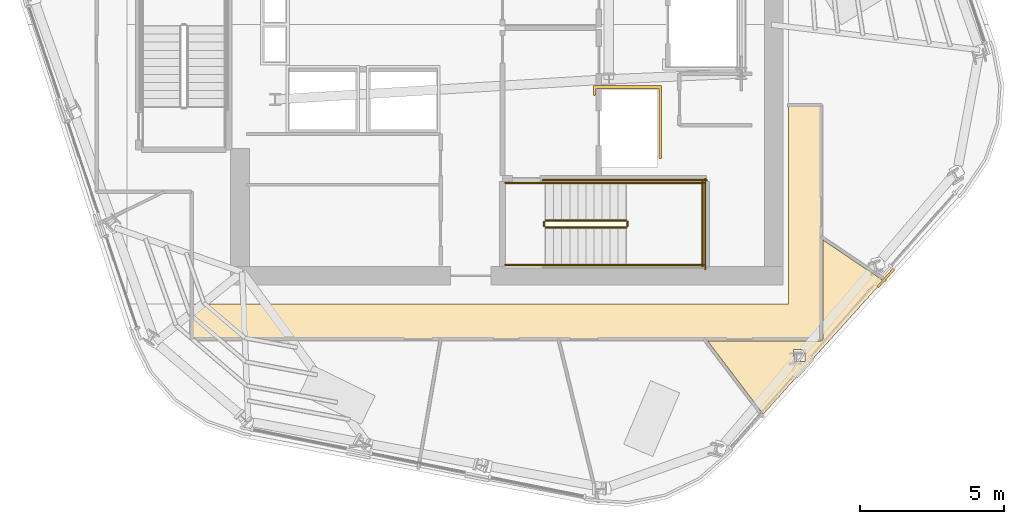
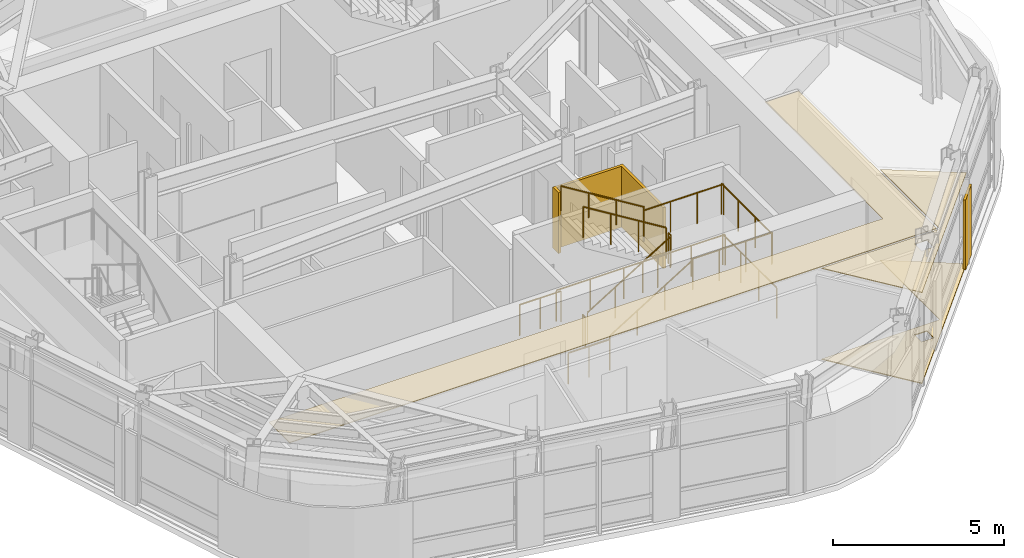
# One storey, part 9 of 12: 13 railings, 5 coverings.
"""IFC4 building model written with IfcOpenShell, lengths in metres."""

from ifc_helpers import new_model, si_unit, direction, frame, origin, origin_2d, place, context, subcontext, project, spatial, polyline, circle, outline, extrude, material, layer, layer_set, type_object, element, save


model = new_model("IFC4")

# Units and contexts
model_context = context("Model", 3, precision=1e-05, world=origin(), true_north=direction((0.0, 1.0)))
body_context = subcontext(model_context, "Body", "Model", "MODEL_VIEW")
ifc_project = project(units=[si_unit("LENGTHUNIT", "METRE"), si_unit("AREAUNIT", "SQUARE_METRE"), si_unit("VOLUMEUNIT", "CUBIC_METRE"), si_unit("PLANEANGLEUNIT", "RADIAN"), si_unit("MASSUNIT", "GRAM", prefix="KILO")], contexts=[model_context])

# Site, building, storey
site_placement = place(None, origin())
site = spatial("IfcSite", under=ifc_project, at=site_placement, CompositionType="ELEMENT")
building_placement = place(site_placement, origin())
building = spatial("IfcBuilding", under=site, at=building_placement, Name="Valkerne Bourse Tower", CompositionType="ELEMENT")
storey_placement = place(building_placement, frame((0.0, 0.0, 232.199951171875)))
storey = spatial("IfcBuildingStorey", under=building, at=storey_placement, Name="L59", CompositionType="ELEMENT", Elevation=232.199951171875)

# Coverings
ifc_material_1 = material(Name="Mineral Fiber Acoustic Ceiling Tile", Category="acoustic")
ifc_layer_1 = layer(ifc_material_1, 0.02490234375)
ifc_layer_set_1 = layer_set([ifc_layer_1], Name="Mineral Fiber Acoustic Ceiling Tile")
covering_type_1 = type_object("IfcCoveringType", Name="COV-CEIL-ACT", PredefinedType="CEILING", material=ifc_layer_set_1)
covering_1_placement = place(storey_placement, frame((0.0, 0.0, 3.25)))
element("IfcCovering", 1, at=covering_1_placement, inside=storey, type_object=covering_type_1, Name="L59 Suspended Ceiling 04", PredefinedType="CEILING", context=body_context, shape_type="SweptSolid", body=[
    extrude(outline(polyline([(57.720703125, 16.010986328125), (57.765869140625, 16.0283203125), (57.78271484375, 16.051025390625), (57.7890625, 16.07958984375), (57.7890625, 19.5166015625), (59.8837890625, 18.103759765625), (55.71240234375, 13.46533203125), (53.7802734375, 16.010986328125), (57.720703125, 16.010986328125)]), holes=[polyline([(57.17138671875, 15.71240234375), (56.760009765625, 15.714599609375), (56.75830078125, 15.712890625), (56.7568359375, 15.299072265625), (57.168212890625, 15.296875), (57.169921875, 15.298095703125), (57.17138671875, 15.71240234375)])]), origin(), (0.0, 0.0, 1.0), 0.025146484375),
])
ifc_material_2 = material(Name="Bronze Anodised Aluminium AA 6063-T6", Category="aluminium")
ifc_layer_2 = layer(ifc_material_2, 0.030029296875)
ifc_layer_set_2 = layer_set([ifc_layer_2], Name="Bronze Anodised Aluminium AA 6063-T6")
covering_type_2 = type_object("IfcCoveringType", Name="COV-CEIL-METAL", PredefinedType="CEILING", material=ifc_layer_set_2)
covering_2_placement = place(storey_placement, frame((0.0, 0.0, 3.25)))
element("IfcCovering", 2, at=covering_2_placement, inside=storey, type_object=covering_type_2, Name="L59 Suspended Ceiling 01", PredefinedType="CEILING", context=body_context, shape_type="SweptSolid", body=[
    extrude(outline(polyline([(35.85400390625, 17.300048828125), (56.60009765625, 17.300048828125), (56.60009765625, 24.196044921875), (57.716064453125, 24.196044921875), (57.716064453125, 16.083984375), (35.85400390625, 16.083984375), (35.85400390625, 17.300048828125)])), origin(), (0.0, 0.0, 1.0), 0.025146484375),
])
ifc_layer_3 = layer(ifc_material_2, 0.06005859375)
ifc_layer_set_3 = layer_set([ifc_layer_3], Name="Bronze Anodised Aluminium AA 6063-T6")
covering_type_3 = type_object("IfcCoveringType", Name="COV-CRN-ALUM", PredefinedType="CLADDING", material=ifc_layer_set_3)
covering_3_placement = place(storey_placement, origin())
element("IfcCovering", 3, at=covering_3_placement, inside=storey, type_object=covering_type_3, Name="L59 Wind-Shaped Corner Aluminium Cladding 02", PredefinedType="CLADDING", context=body_context, shape_type="SweptSolid", body=[
    extrude(outline(polyline([(59.720703125, 17.856689453125), (59.66064453125, 17.909423828125), (60.222412109375, 18.5341796875), (60.282470703125, 18.481201171875), (59.720703125, 17.856689453125)])), origin(), (0.0, 0.0, 1.0), 2.5),
])
ifc_material_3 = material(Name="Polished Granite Stone", Category="masonry")
ifc_layer_4 = layer(ifc_material_3, 0.030029296875)
ifc_layer_set_4 = layer_set([ifc_layer_4], Name="Polished Granite Stone")
covering_type_4 = type_object("IfcCoveringType", Name="COV-FLR-TERRAZZO", PredefinedType="FLOORING", material=ifc_layer_set_4)
covering_4_placement = place(storey_placement, origin())
element("IfcCovering", 4, at=covering_4_placement, inside=storey, type_object=covering_type_4, Name="L59 Floor Finish 04", PredefinedType="FLOORING", context=body_context, shape_type="SweptSolid", body=[
    extrude(outline(polyline([(57.720703125, 16.010986328125), (57.765869140625, 16.0283203125), (57.78271484375, 16.051025390625), (57.7890625, 16.07958984375), (57.7890625, 19.5166015625), (59.8837890625, 18.103759765625), (55.71240234375, 13.46533203125), (53.7802734375, 16.010986328125), (57.720703125, 16.010986328125)]), holes=[polyline([(57.17138671875, 15.71240234375), (56.760009765625, 15.714599609375), (56.75830078125, 15.712890625), (56.7568359375, 15.299072265625), (57.168212890625, 15.296875), (57.169921875, 15.298095703125), (57.17138671875, 15.71240234375)])]), origin(), (0.0, 0.0, 1.0), 0.030029296875),
])
ifc_material_4 = material(Name="Gypsum Shaftwall Liner Board", Category="gypsum")
ifc_layer_5 = layer(ifc_material_4, 0.080078125)
ifc_layer_set_5 = layer_set([ifc_layer_5], Name="Gypsum Shaftwall Liner Board")
covering_type_5 = type_object("IfcCoveringType", Name="COV-SHF-CLAD", PredefinedType="CLADDING", material=ifc_layer_set_5)
covering_5_placement = place(storey_placement, origin())
element("IfcCovering", 5, at=covering_5_placement, inside=storey, type_object=covering_type_5, Name="L59 Hoistway & Riser Shaftwall Liner 05", PredefinedType="CLADDING", context=body_context, shape_type="SweptSolid", body=[
    extrude(outline(polyline([(52.179931640625, 22.35009765625), (52.090087890625, 22.35009765625), (52.090087890625, 24.7900390625), (49.909912109375, 24.7900390625), (49.909912109375, 24.560791015625), (49.869384765625, 24.550537109375), (49.827880859375, 24.53564453125), (49.820068359375, 24.531982421875), (49.820068359375, 24.8798828125), (52.179931640625, 24.8798828125), (52.179931640625, 22.35009765625)])), origin(), (0.0, 0.0, 1.0), 2.179931640625),
])

# Railings
ifc_material_5 = material(Name="Galvanised Painted Steel", Category="steel")
railing_type_1 = type_object("IfcRailingType", Name="RLG-ST-GUARD-1120", PredefinedType="GUARDRAIL", material=ifc_material_5)
railing_1_placement = place(storey_placement, frame((48.14990234375, 19.949951171875, 0.1728515625)))
element("IfcRailing", 6, at=railing_1_placement, inside=storey, type_object=railing_type_1, Name="L59 ST-1 stair guard 1", PredefinedType="GUARDRAIL", context=body_context, shape_type="SweptSolid", body=[
    extrude(circle(Radius=0.02392578125, at=origin_2d()), frame((0.0, 0.0, 1.09619140625), z_axis=(0.851089632645, 0.0, 0.525020415988), x_axis=(0.0, 1.0, 0.0)), (0.0, 0.0, 1.0), 3.2900390625),
    extrude(circle(Radius=0.02099609375, at=origin_2d()), origin(), (0.0, 0.0, 1.0), 1.072021484375),
    extrude(circle(Radius=0.02099609375, at=origin_2d()), frame((0.933349609375, 0.0, 0.57568359375)), (0.0, 0.0, 1.0), 1.072021484375),
    extrude(circle(Radius=0.02099609375, at=origin_2d()), frame((1.86669921875, 0.0, 1.151611328125)), (0.0, 0.0, 1.0), 1.072021484375),
    extrude(circle(Radius=0.02099609375, at=origin_2d()), frame((2.800048828125, 0.0, 1.727294921875)), (0.0, 0.0, 1.0), 1.072021484375),
])
railing_2_placement = place(storey_placement, frame((51.0, 20.0, 1.900146484375)))
element("IfcRailing", 7, at=railing_2_placement, inside=storey, type_object=railing_type_1, Name="L59 ST-1 stair guard 2", PredefinedType="GUARDRAIL", context=body_context, shape_type="SweptSolid", body=[
    extrude(circle(Radius=0.02392578125, at=origin_2d()), frame((0.0, 0.0, 1.09619140625), z_axis=(0.0, 1.0, 0.0), x_axis=(-1.0, 0.0, 0.0)), (0.0, 0.0, 1.0), 0.14990234375),
    extrude(circle(Radius=0.02099609375, at=origin_2d()), origin(), (0.0, 0.0, 1.0), 1.072021484375),
    extrude(circle(Radius=0.02099609375, at=origin_2d()), frame((0.0, 0.14990234375, 0.0)), (0.0, 0.0, 1.0), 1.072021484375),
])
for number, where, name in (
    (8, (50.949951171875, 18.64990234375, 1.900146484375), "L59 ST-1 stair guard 3"),
    (9, (50.949951171875, 21.5, 1.900146484375), "L59 ST-1 stair guard 4"),
):
    element("IfcRailing", number, at=place(storey_placement, frame(where)), inside=storey, type_object=railing_type_1, Name=name, PredefinedType="GUARDRAIL", context=body_context, shape_type="SweptSolid", body=[
        extrude(circle(Radius=0.02392578125, at=origin_2d()), frame((0.0, 0.0, 1.09619140625), z_axis=(1.0, 0.0, 0.0), x_axis=(0.0, 1.0, 0.0)), (0.0, 0.0, 1.0), 2.699951171875),
        extrude(circle(Radius=0.02099609375, at=origin_2d()), origin(), (0.0, 0.0, 1.0), 1.072021484375),
        extrude(circle(Radius=0.02099609375, at=origin_2d()), frame((0.89990234375, 0.0, 0.0)), (0.0, 0.0, 1.0), 1.072021484375),
        extrude(circle(Radius=0.02099609375, at=origin_2d()), frame((1.800048828125, 0.0, 0.0)), (0.0, 0.0, 1.0), 1.072021484375),
        extrude(circle(Radius=0.02099609375, at=origin_2d()), frame((2.699951171875, 0.0, 0.0)), (0.0, 0.0, 1.0), 1.072021484375),
    ])
railing_3_placement = place(storey_placement, frame((53.60009765625, 18.60009765625, 1.900146484375)))
element("IfcRailing", 10, at=railing_3_placement, inside=storey, type_object=railing_type_1, Name="L59 ST-1 stair guard 5", PredefinedType="GUARDRAIL", context=body_context, shape_type="SweptSolid", body=[
    extrude(circle(Radius=0.02392578125, at=origin_2d()), frame((0.0, 0.0, 1.09619140625), z_axis=(0.0, 1.0, 0.0), x_axis=(-1.0, 0.0, 0.0)), (0.0, 0.0, 1.0), 2.949951171875),
    extrude(circle(Radius=0.02099609375, at=origin_2d()), origin(), (0.0, 0.0, 1.0), 1.072021484375),
    extrude(circle(Radius=0.02099609375, at=origin_2d()), frame((0.0, 0.9833984375, 0.0)), (0.0, 0.0, 1.0), 1.072021484375),
    extrude(circle(Radius=0.02099609375, at=origin_2d()), frame((0.0, 1.966552734375, 0.0)), (0.0, 0.0, 1.0), 1.072021484375),
    extrude(circle(Radius=0.02099609375, at=origin_2d()), frame((0.0, 2.949951171875, 0.0)), (0.0, 0.0, 1.0), 1.072021484375),
])
railing_4_placement = place(storey_placement, frame((50.949951171875, 20.199951171875, 2.07275390625)))
element("IfcRailing", 11, at=railing_4_placement, inside=storey, type_object=railing_type_1, Name="L59 ST-1 stair guard 6", PredefinedType="GUARDRAIL", context=body_context, shape_type="SweptSolid", body=[
    extrude(circle(Radius=0.02392578125, at=origin_2d()), frame((0.0, 0.0, 1.09619140625), z_axis=(-0.851089632645, 0.0, 0.525020415988), x_axis=(0.0, -1.0, 0.0)), (0.0, 0.0, 1.0), 3.2900390625),
    extrude(circle(Radius=0.02099609375, at=origin_2d()), origin(), (0.0, 0.0, 1.0), 1.072021484375),
    extrude(circle(Radius=0.02099609375, at=origin_2d()), frame((-0.933349609375, 0.0, 0.57568359375)), (0.0, 0.0, 1.0), 1.072021484375),
    extrude(circle(Radius=0.02099609375, at=origin_2d()), frame((-1.86669921875, 0.0, 1.151611328125)), (0.0, 0.0, 1.0), 1.072021484375),
    extrude(circle(Radius=0.02099609375, at=origin_2d()), frame((-2.800048828125, 0.0, 1.727294921875)), (0.0, 0.0, 1.0), 1.072021484375),
])
railing_5_placement = place(storey_placement, frame((48.10009765625, 20.0, 0.0)))
element("IfcRailing", 12, at=railing_5_placement, inside=storey, type_object=railing_type_1, Name="L59 ST-1 stair guard 7", PredefinedType="GUARDRAIL", context=body_context, shape_type="SweptSolid", body=[
    extrude(circle(Radius=0.02392578125, at=origin_2d()), frame((0.0, 0.0, 1.09619140625), z_axis=(0.0, 1.0, 0.0), x_axis=(-1.0, 0.0, 0.0)), (0.0, 0.0, 1.0), 0.14990234375),
    extrude(circle(Radius=0.02099609375, at=origin_2d()), origin(), (0.0, 0.0, 1.0), 1.072021484375),
    extrude(circle(Radius=0.02099609375, at=origin_2d()), frame((0.0, 0.14990234375, 0.0)), (0.0, 0.0, 1.0), 1.072021484375),
])
for number, where, name in (
    (13, (46.75, 18.64990234375, 0.0), "L59 ST-1 stair guard 8"),
    (14, (46.75, 21.5, 0.0), "L59 ST-1 stair guard 9"),
):
    element("IfcRailing", number, at=place(storey_placement, frame(where)), inside=storey, type_object=railing_type_1, Name=name, PredefinedType="GUARDRAIL", context=body_context, shape_type="SweptSolid", body=[
        extrude(circle(Radius=0.02392578125, at=origin_2d()), frame((0.0, 0.0, 1.09619140625), z_axis=(1.0, 0.0, 0.0), x_axis=(0.0, 1.0, 0.0)), (0.0, 0.0, 1.0), 1.39990234375),
        extrude(circle(Radius=0.02099609375, at=origin_2d()), origin(), (0.0, 0.0, 1.0), 1.072021484375),
        extrude(circle(Radius=0.02099609375, at=origin_2d()), frame((0.699951171875, 0.0, 0.0)), (0.0, 0.0, 1.0), 1.072021484375),
        extrude(circle(Radius=0.02099609375, at=origin_2d()), frame((1.39990234375, 0.0, 0.0)), (0.0, 0.0, 1.0), 1.072021484375),
    ])
railing_6_placement = place(storey_placement, frame((48.050048828125, 21.60009765625, 0.0)))
element("IfcRailing", 15, at=railing_6_placement, inside=storey, type_object=railing_type_1, Name="L59 ST-1 stair guard 11", PredefinedType="GUARDRAIL", context=body_context, shape_type="SweptSolid", body=[
    extrude(circle(Radius=0.02392578125, at=origin_2d()), frame((0.0, 0.0, 1.09619140625), z_axis=(1.0, 0.0, 0.0), x_axis=(0.0, 1.0, 0.0)), (0.0, 0.0, 1.0), 5.699951171875),
    extrude(circle(Radius=0.02099609375, at=origin_2d()), origin(), (0.0, 0.0, 1.0), 1.072021484375),
    extrude(circle(Radius=0.02099609375, at=origin_2d()), frame((1.139892578125, 0.0, 0.0)), (0.0, 0.0, 1.0), 1.072021484375),
    extrude(circle(Radius=0.02099609375, at=origin_2d()), frame((2.280029296875, 0.0, 0.0)), (0.0, 0.0, 1.0), 1.072021484375),
    extrude(circle(Radius=0.02099609375, at=origin_2d()), frame((3.419921875, 0.0, 0.0)), (0.0, 0.0, 1.0), 1.072021484375),
    extrude(circle(Radius=0.02099609375, at=origin_2d()), frame((4.56005859375, 0.0, 0.0)), (0.0, 0.0, 1.0), 1.072021484375),
    extrude(circle(Radius=0.02099609375, at=origin_2d()), frame((5.699951171875, 0.0, 0.0)), (0.0, 0.0, 1.0), 1.072021484375),
])
railing_7_placement = place(storey_placement, frame((53.699951171875, 18.5, 0.0)))
element("IfcRailing", 16, at=railing_7_placement, inside=storey, type_object=railing_type_1, Name="L59 ST-1 stair guard 12", PredefinedType="GUARDRAIL", context=body_context, shape_type="SweptSolid", body=[
    extrude(circle(Radius=0.02392578125, at=origin_2d()), frame((0.0, 0.0, 1.09619140625), z_axis=(0.0, 1.0, 0.0), x_axis=(-1.0, 0.0, 0.0)), (0.0, 0.0, 1.0), 3.14990234375),
    extrude(circle(Radius=0.02099609375, at=origin_2d()), origin(), (0.0, 0.0, 1.0), 1.072021484375),
    extrude(circle(Radius=0.02099609375, at=origin_2d()), frame((0.0, 1.050048828125, 0.0)), (0.0, 0.0, 1.0), 1.072021484375),
    extrude(circle(Radius=0.02099609375, at=origin_2d()), frame((0.0, 2.099853515625, 0.0)), (0.0, 0.0, 1.0), 1.072021484375),
    extrude(circle(Radius=0.02099609375, at=origin_2d()), frame((0.0, 3.14990234375, 0.0)), (0.0, 0.0, 1.0), 1.072021484375),
])
ifc_material_6 = material(Name="Stainless Steel AISI 316", Category="steel")
railing_type_2 = type_object("IfcRailingType", Name="RLG-ST-HANDRAIL-900", PredefinedType="HANDRAIL", material=ifc_material_6)
railing_8_placement = place(storey_placement, frame((48.14990234375, 18.64990234375, 0.345458984375)))
element("IfcRailing", 17, at=railing_8_placement, inside=storey, type_object=railing_type_2, Name="L59 ST-1 stair handrail 1", PredefinedType="HANDRAIL", context=body_context, shape_type="SweptSolid", body=[
    extrude(circle(Radius=0.02392578125, at=origin_2d()), frame((0.0, 0.0, 0.8759765625), z_axis=(0.851089632645, 0.0, 0.525020415988), x_axis=(0.0, 1.0, 0.0)), (0.0, 0.0, 1.0), 3.2900390625),
    extrude(circle(Radius=0.02099609375, at=origin_2d()), origin(), (0.0, 0.0, 1.0), 0.851806640625),
    extrude(circle(Radius=0.02099609375, at=origin_2d()), frame((0.933349609375, 0.0, 0.57568359375)), (0.0, 0.0, 1.0), 0.851806640625),
    extrude(circle(Radius=0.02099609375, at=origin_2d()), frame((1.86669921875, 0.0, 1.151611328125)), (0.0, 0.0, 1.0), 0.851806640625),
    extrude(circle(Radius=0.02099609375, at=origin_2d()), frame((2.800048828125, 0.0, 1.727294921875)), (0.0, 0.0, 1.0), 0.851806640625),
])
railing_9_placement = place(storey_placement, frame((50.949951171875, 21.5, 2.24560546875)))
element("IfcRailing", 18, at=railing_9_placement, inside=storey, type_object=railing_type_2, Name="L59 ST-1 stair handrail 2", PredefinedType="HANDRAIL", context=body_context, shape_type="SweptSolid", body=[
    extrude(circle(Radius=0.02392578125, at=origin_2d()), frame((0.0, 0.0, 0.8759765625), z_axis=(-0.851122791225, 0.0, 0.524966660138), x_axis=(0.0, -1.0, 0.0)), (0.0, 0.0, 1.0), 3.289794921875),
    extrude(circle(Radius=0.02099609375, at=origin_2d()), origin(), (0.0, 0.0, 1.0), 0.851806640625),
    extrude(circle(Radius=0.02099609375, at=origin_2d()), frame((-0.933349609375, 0.0, 0.57568359375)), (0.0, 0.0, 1.0), 0.851806640625),
    extrude(circle(Radius=0.02099609375, at=origin_2d()), frame((-1.86669921875, 0.0, 1.1513671875)), (0.0, 0.0, 1.0), 0.851806640625),
    extrude(circle(Radius=0.02099609375, at=origin_2d()), frame((-2.800048828125, 0.0, 1.72705078125)), (0.0, 0.0, 1.0), 0.851806640625),
])

save(model, "model.ifc")
